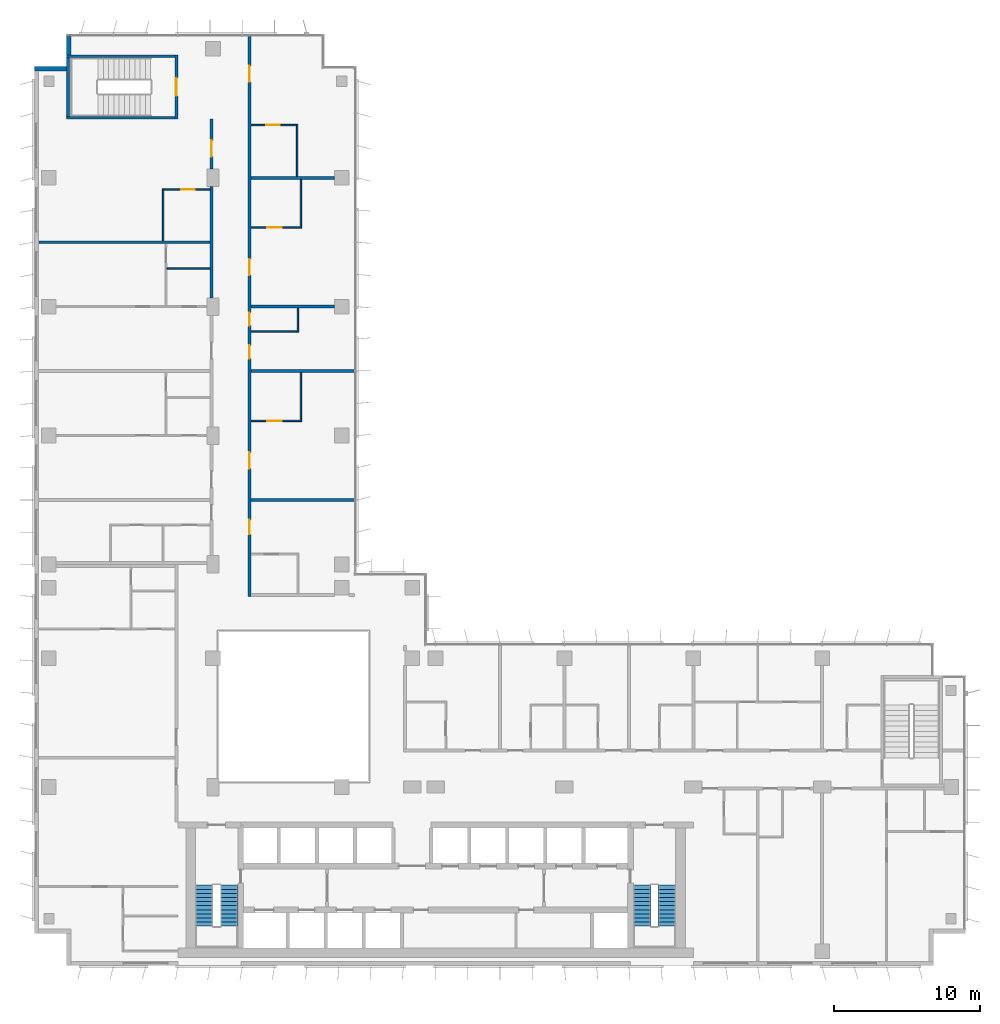
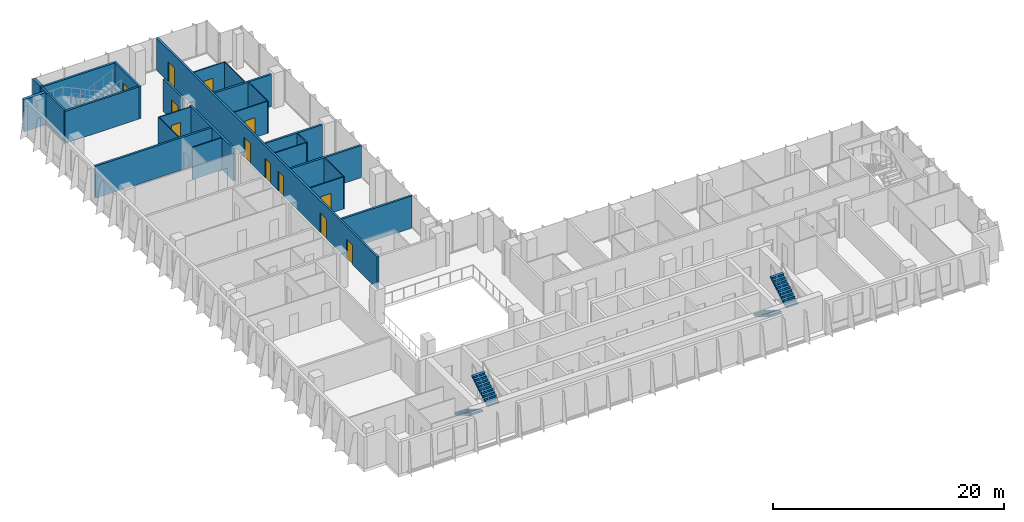
# One storey, part 17 of 21: 25 walls, 12 doors, 4 stair flights, 12 openings, 2 elements without a shape of their own.
"""IFC4 building model written with IfcOpenShell, lengths in metres."""

from ifc_helpers import new_model, si_unit, direction, frame, frame_2d, origin, place, context, subcontext, project, spatial, polyline, rectangle, outline, extrude, material, layer, layer_set, type_object, element, fill, aggregate, save


model = new_model("IFC4")

# Units and contexts
model_context = context("Model", 3, precision=1e-05, world=origin(), true_north=direction((0.0, 1.0)))
body_context = subcontext(model_context, "Body", "Model", "MODEL_VIEW")
ifc_project = project(units=[si_unit("LENGTHUNIT", "METRE"), si_unit("AREAUNIT", "SQUARE_METRE"), si_unit("VOLUMEUNIT", "CUBIC_METRE"), si_unit("PLANEANGLEUNIT", "RADIAN"), si_unit("MASSUNIT", "GRAM", prefix="KILO")], contexts=[model_context])

# Site, building, storey
site_placement = place(None, origin())
site = spatial("IfcSite", under=ifc_project, at=site_placement, CompositionType="ELEMENT")
building_placement = place(site_placement, origin())
building = spatial("IfcBuilding", under=site, at=building_placement, Name="Kemantara Hotel Tower", CompositionType="ELEMENT")
storey_placement = place(building_placement, frame((0.0, 0.0, 208.0)))
storey = spatial("IfcBuildingStorey", under=building, at=storey_placement, Name="L51", CompositionType="ELEMENT", Elevation=208.0)

# Walls
ifc_material_1 = material(Name="Bronze anodised aluminium cladding on insulated steel stud wall", Category="steel")
ifc_layer_1 = layer(ifc_material_1, 0.300048828125)
ifc_layer_set_1 = layer_set([ifc_layer_1], Name="Bronze anodised aluminium cladding on insulated steel stud wall")
wall_type_1 = type_object("IfcWallType", Name="BRONZE METAL-CLAD EXTERNAL WALL 300", PredefinedType="STANDARD", material=ifc_layer_set_1)
wall_1_placement = place(storey_placement, frame((2.35009765625, 63.449951171875, 0.0), z_axis=(0.0, 0.0, 1.0), x_axis=(0.0, -1.0, 0.0)))
element("IfcWall", 1, at=wall_1_placement, inside=storey, type_object=wall_type_1, Name="EXTERNAL WALL L51 T3-R03", PredefinedType="STANDARD", context=body_context, shape_type="SweptSolid", body=[
    extrude(rectangle(XDim=1.25, YDim=0.300048828125, at=frame_2d((0.625, 0.0))), origin(), (0.0, 0.0, 1.0), 3.39990234375),
])
wall_2_placement = place(storey_placement, frame((2.199951171875, 61.25, 0.0), z_axis=(0.0, 0.0, 1.0), x_axis=(-1.0, 0.0, 0.0)))
element("IfcWall", 2, at=wall_2_placement, inside=storey, type_object=wall_type_1, Name="EXTERNAL WALL L51 T3-R04", PredefinedType="STANDARD", context=body_context, shape_type="SweptSolid", body=[
    extrude(rectangle(XDim=2.199951171875, YDim=0.300048828125, at=frame_2d((1.10009765625, 0.0))), origin(), (0.0, 0.0, 1.0), 3.39990234375),
])
ifc_material_2 = material(Name="Gypsum board partition, steel studs and mineral wool, 200 mm", Category="steel")
ifc_layer_2 = layer(ifc_material_2, 0.199951171875)
ifc_layer_set_2 = layer_set([ifc_layer_2], Name="Gypsum board partition, steel studs and mineral wool, 200 mm")
wall_type_2 = type_object("IfcWallType", Name="CORRIDOR WALL 200", PredefinedType="PARTITIONING", material=ifc_layer_set_2)
wall_3_placement = place(storey_placement, frame((12.10009765625, 45.60009765625, 0.0), z_axis=(0.0, 0.0, 1.0), x_axis=(0.0, 1.0, 0.0)))
element("IfcWall", 3, at=wall_3_placement, inside=storey, type_object=wall_type_2, Name="CORRIDOR WALL 200 019", PredefinedType="PARTITIONING", context=body_context, shape_type="SweptSolid", body=[
    extrude(rectangle(XDim=7.599853515625, YDim=0.199951171875, at=frame_2d((3.7998046875, 0.0))), origin(), (0.0, 0.0, 1.0), 3.39990234375),
])

# Wall, opening, door
wall_4_placement = place(storey_placement, frame((12.10009765625, 54.400146484375, 0.0), z_axis=(0.0, 0.0, 1.0), x_axis=(0.0, 1.0, 0.0)))
wall_4 = element("IfcWall", 4, at=wall_4_placement, inside=storey, type_object=wall_type_2, Name="CORRIDOR WALL 200 020", PredefinedType="PARTITIONING", context=body_context, shape_type="SweptSolid", body=[
    extrude(rectangle(XDim=3.39990234375, YDim=0.199951171875, at=frame_2d((1.699951171875, 0.0))), origin(), (0.0, 0.0, 1.0), 3.39990234375),
])
opening_1_placement = place(wall_4_placement, frame((0.849853515625, 0.0, 0.0)))
opening_1 = element("IfcOpeningElement", 5, at=opening_1_placement, cuts=wall_4, Name="Opening F25-042", PredefinedType="OPENING", context=body_context, shape_type="SweptSolid", body=[
    extrude(rectangle(XDim=1.10009765625, YDim=2.10009765625, at=frame_2d((0.550048828125, 1.050048828125))), frame((0.0, 0.10986328125, 0.0), z_axis=(0.0, -1.0, 0.0), x_axis=(1.0, 0.0, 0.0)), (0.0, 0.0, 1.0), 0.219970703125),
])
ifc_material_3 = material(Name="Hardwood veneer door leaf with steel frame", Category="steel")
door_type_1 = type_object("IfcDoorType", Name="SUITE ENTRANCE DOOR 1100 X 2100 FD30S", OperationType="NOTDEFINED", PredefinedType="DOOR", material=ifc_material_3)
door_1_placement = place(opening_1_placement, origin())
door_1 = element("IfcDoor", 6, at=door_1_placement, inside=storey, type_object=door_type_1, Name="SUITE ENTRANCE DOOR F25-042", OperationType="SINGLE_SWING_RIGHT", OverallHeight=2.10009765625, OverallWidth=1.10009765625, PredefinedType="DOOR", context=body_context, shape_type="SweptSolid", body=[
    extrude(rectangle(XDim=1.10009765625, YDim=2.10009765625, at=frame_2d((0.550048828125, 1.050048828125))), frame((0.0, 0.02490234375, 0.0), z_axis=(0.0, -1.0, 0.0), x_axis=(1.0, 0.0, 0.0)), (0.0, 0.0, 1.0), 0.050048828125),
])
fill(opening_1, door_1)

# Wall, openings, doors
wall_5_placement = place(storey_placement, frame((14.699951171875, 63.47998046875, 0.0), z_axis=(0.0, 0.0, 1.0), x_axis=(0.0, -1.0, 0.0)))
wall_5 = element("IfcWall", 7, at=wall_5_placement, inside=storey, type_object=wall_type_2, Name="CORRIDOR WALL 200 027", PredefinedType="PARTITIONING", context=body_context, shape_type="SweptSolid", body=[
    extrude(rectangle(XDim=38.280029296875, YDim=0.199951171875, at=frame_2d((19.14013671875, 0.0))), origin(), (0.0, 0.0, 1.0), 3.39990234375),
])
opening_2_placement = place(wall_5_placement, frame((33.02978515625, 0.0, 0.0)))
opening_2 = element("IfcOpeningElement", 8, at=opening_2_placement, cuts=wall_5, Name="Opening F25-044", PredefinedType="OPENING", context=body_context, shape_type="SweptSolid", body=[
    extrude(rectangle(XDim=1.0, YDim=2.10009765625, at=frame_2d((0.5, 1.050048828125))), frame((0.0, 0.10986328125, 0.0), z_axis=(0.0, -1.0, 0.0), x_axis=(1.0, 0.0, 0.0)), (0.0, 0.0, 1.0), 0.219970703125),
])
opening_3_placement = place(wall_5_placement, frame((28.429931640625, 0.0, 0.0)))
opening_3 = element("IfcOpeningElement", 9, at=opening_3_placement, cuts=wall_5, Name="Opening F25-046", PredefinedType="OPENING", context=body_context, shape_type="SweptSolid", body=[
    extrude(rectangle(XDim=1.10009765625, YDim=2.10009765625, at=frame_2d((0.550048828125, 1.050048828125))), frame((0.0, 0.10986328125, 0.0), z_axis=(0.0, -1.0, 0.0), x_axis=(1.0, 0.0, 0.0)), (0.0, 0.0, 1.0), 0.219970703125),
])
opening_4_placement = place(wall_5_placement, frame((21.1298828125, 0.0, 0.0)))
opening_4 = element("IfcOpeningElement", 10, at=opening_4_placement, cuts=wall_5, Name="Opening F25-048", PredefinedType="OPENING", context=body_context, shape_type="SweptSolid", body=[
    extrude(rectangle(XDim=0.89990234375, YDim=2.10009765625, at=frame_2d((0.449951171875, 1.050048828125))), frame((0.0, 0.10986328125, 0.0), z_axis=(0.0, -1.0, 0.0), x_axis=(1.0, 0.0, 0.0)), (0.0, 0.0, 1.0), 0.219970703125),
])
opening_5_placement = place(wall_5_placement, frame((18.8798828125, 0.0, 0.0)))
opening_5 = element("IfcOpeningElement", 11, at=opening_5_placement, cuts=wall_5, Name="Opening F25-049", PredefinedType="OPENING", context=body_context, shape_type="SweptSolid", body=[
    extrude(rectangle(XDim=0.89990234375, YDim=2.10009765625, at=frame_2d((0.449951171875, 1.050048828125))), frame((0.0, 0.10986328125, 0.0), z_axis=(0.0, -1.0, 0.0), x_axis=(1.0, 0.0, 0.0)), (0.0, 0.0, 1.0), 0.219970703125),
])
opening_6_placement = place(wall_5_placement, frame((15.22998046875, 0.0, 0.0)))
opening_6 = element("IfcOpeningElement", 12, at=opening_6_placement, cuts=wall_5, Name="Opening F25-050", PredefinedType="OPENING", context=body_context, shape_type="SweptSolid", body=[
    extrude(rectangle(XDim=1.10009765625, YDim=2.10009765625, at=frame_2d((0.550048828125, 1.050048828125))), frame((0.0, 0.10986328125, 0.0), z_axis=(0.0, -1.0, 0.0), x_axis=(1.0, 0.0, 0.0)), (0.0, 0.0, 1.0), 0.219970703125),
])
opening_7_placement = place(wall_5_placement, frame((2.02978515625, 0.0, 0.0)))
opening_7 = element("IfcOpeningElement", 13, at=opening_7_placement, cuts=wall_5, Name="Opening F25-052", PredefinedType="OPENING", context=body_context, shape_type="SweptSolid", body=[
    extrude(rectangle(XDim=1.10009765625, YDim=2.10009765625, at=frame_2d((0.550048828125, 1.050048828125))), frame((0.0, 0.10986328125, 0.0), z_axis=(0.0, -1.0, 0.0), x_axis=(1.0, 0.0, 0.0)), (0.0, 0.0, 1.0), 0.219970703125),
])
door_type_2 = type_object("IfcDoorType", Name="GUEST ROOM DOOR 1000 X 2100 FD30S", OperationType="NOTDEFINED", PredefinedType="DOOR", material=ifc_material_3)
door_2_placement = place(opening_2_placement, origin())
door_2 = element("IfcDoor", 14, at=door_2_placement, inside=storey, type_object=door_type_2, Name="GUEST ROOM DOOR F25-044", OperationType="SINGLE_SWING_LEFT", OverallHeight=2.10009765625, OverallWidth=1.0, PredefinedType="DOOR", context=body_context, shape_type="SweptSolid", body=[
    extrude(rectangle(XDim=1.0, YDim=2.10009765625, at=frame_2d((0.5, 1.050048828125))), frame((0.0, 0.02490234375, 0.0), z_axis=(0.0, -1.0, 0.0), x_axis=(1.0, 0.0, 0.0)), (0.0, 0.0, 1.0), 0.050048828125),
])
fill(opening_2, door_2)
door_type_3 = type_object("IfcDoorType", Name="GUEST ROOM DOOR 1100 X 2100 FD30S", OperationType="NOTDEFINED", PredefinedType="DOOR", material=ifc_material_3)
door_3_placement = place(opening_3_placement, origin())
door_3 = element("IfcDoor", 15, at=door_3_placement, inside=storey, type_object=door_type_3, Name="GUEST ROOM DOOR F25-046", OperationType="SINGLE_SWING_RIGHT", OverallHeight=2.10009765625, OverallWidth=1.10009765625, PredefinedType="DOOR", context=body_context, shape_type="SweptSolid", body=[
    extrude(rectangle(XDim=1.10009765625, YDim=2.10009765625, at=frame_2d((0.550048828125, 1.050048828125))), frame((0.0, 0.02490234375, 0.0), z_axis=(0.0, -1.0, 0.0), x_axis=(1.0, 0.0, 0.0)), (0.0, 0.0, 1.0), 0.050048828125),
])
fill(opening_3, door_3)
door_4_placement = place(opening_6_placement, origin())
door_4 = element("IfcDoor", 16, at=door_4_placement, inside=storey, type_object=door_type_3, Name="GUEST ROOM DOOR F25-050", OperationType="SINGLE_SWING_RIGHT", OverallHeight=2.10009765625, OverallWidth=1.10009765625, PredefinedType="DOOR", context=body_context, shape_type="SweptSolid", body=[
    extrude(rectangle(XDim=1.10009765625, YDim=2.10009765625, at=frame_2d((0.550048828125, 1.050048828125))), frame((0.0, 0.02490234375, 0.0), z_axis=(0.0, -1.0, 0.0), x_axis=(1.0, 0.0, 0.0)), (0.0, 0.0, 1.0), 0.050048828125),
])
fill(opening_6, door_4)
ifc_material_4 = material(Name="Steel door leaf with steel frame", Category="steel")
door_type_4 = type_object("IfcDoorType", Name="SERVICE ROOM DOOR 900 X 2100 FD60", OperationType="NOTDEFINED", PredefinedType="DOOR", material=ifc_material_4)
door_5_placement = place(opening_4_placement, origin())
door_5 = element("IfcDoor", 17, at=door_5_placement, inside=storey, type_object=door_type_4, Name="SERVICE ROOM DOOR F25-048", OperationType="SINGLE_SWING_RIGHT", OverallHeight=2.10009765625, OverallWidth=0.89990234375, PredefinedType="DOOR", context=body_context, shape_type="SweptSolid", body=[
    extrude(rectangle(XDim=0.89990234375, YDim=2.10009765625, at=frame_2d((0.449951171875, 1.050048828125))), frame((0.0, 0.02490234375, 0.0), z_axis=(0.0, -1.0, 0.0), x_axis=(1.0, 0.0, 0.0)), (0.0, 0.0, 1.0), 0.050048828125),
])
fill(opening_4, door_5)
door_6_placement = place(opening_5_placement, origin())
door_6 = element("IfcDoor", 18, at=door_6_placement, inside=storey, type_object=door_type_4, Name="SERVICE ROOM DOOR F25-049", OperationType="SINGLE_SWING_LEFT", OverallHeight=2.10009765625, OverallWidth=0.89990234375, PredefinedType="DOOR", context=body_context, shape_type="SweptSolid", body=[
    extrude(rectangle(XDim=0.89990234375, YDim=2.10009765625, at=frame_2d((0.449951171875, 1.050048828125))), frame((0.0, 0.02490234375, 0.0), z_axis=(0.0, -1.0, 0.0), x_axis=(1.0, 0.0, 0.0)), (0.0, 0.0, 1.0), 0.050048828125),
])
fill(opening_5, door_6)
door_7_placement = place(opening_7_placement, origin())
door_7 = element("IfcDoor", 19, at=door_7_placement, inside=storey, type_object=door_type_1, Name="SUITE ENTRANCE DOOR F25-052", OperationType="SINGLE_SWING_LEFT", OverallHeight=2.10009765625, OverallWidth=1.10009765625, PredefinedType="DOOR", context=body_context, shape_type="SweptSolid", body=[
    extrude(rectangle(XDim=1.10009765625, YDim=2.10009765625, at=frame_2d((0.550048828125, 1.050048828125))), frame((0.0, 0.02490234375, 0.0), z_axis=(0.0, -1.0, 0.0), x_axis=(1.0, 0.0, 0.0)), (0.0, 0.0, 1.0), 0.050048828125),
])
fill(opening_7, door_7)

# Wall, opening, door
ifc_material_5 = material(Name="Concrete fc 40 MPa", Category="concrete")
ifc_layer_3 = layer(ifc_material_5, 0.199951171875)
ifc_layer_set_3 = layer_set([ifc_layer_3], Name="Concrete fc 40 MPa")
wall_type_3 = type_object("IfcWallType", Name="Concrete stair wall 200 mm", PredefinedType="SHEAR", material=ifc_layer_set_3)
wall_6_placement = place(storey_placement, frame((9.699951171875, 57.800048828125, 0.0), z_axis=(0.0, 0.0, 1.0), x_axis=(0.0, 1.0, 0.0)))
wall_6 = element("IfcWall", 20, at=wall_6_placement, inside=storey, type_object=wall_type_3, Name="Stair ST4 enclosure wall with door", PredefinedType="SHEAR", context=body_context, shape_type="SweptSolid", body=[
    extrude(rectangle(XDim=4.39990234375, YDim=0.199951171875, at=frame_2d((2.199951171875, 0.0))), origin(), (0.0, 0.0, 1.0), 3.39990234375),
])
opening_8_placement = place(wall_6_placement, frame((1.60009765625, 0.0, 0.0)))
opening_8 = element("IfcOpeningElement", 21, at=opening_8_placement, cuts=wall_6, Name="Opening ST4-C", PredefinedType="OPENING", context=body_context, shape_type="SweptSolid", body=[
    extrude(rectangle(XDim=1.199951171875, YDim=2.10009765625, at=frame_2d((0.60009765625, 1.050048828125))), frame((0.0, 0.10986328125, 0.0), z_axis=(0.0, -1.0, 0.0), x_axis=(1.0, 0.0, 0.0)), (0.0, 0.0, 1.0), 0.219970703125),
])
ifc_material_6 = material(Name="Steel fire door", Category="steel")
door_type_5 = type_object("IfcDoorType", Name="Fire door FD90 1200 x 2100", OperationType="NOTDEFINED", PredefinedType="DOOR", material=ifc_material_6)
door_8_placement = place(opening_8_placement, origin())
door_8 = element("IfcDoor", 22, at=door_8_placement, inside=storey, type_object=door_type_5, Name="Stair ST4 door", OperationType="SINGLE_SWING_RIGHT", OverallHeight=2.10009765625, OverallWidth=1.199951171875, PredefinedType="DOOR", context=body_context, shape_type="SweptSolid", body=[
    extrude(rectangle(XDim=1.199951171875, YDim=2.10009765625, at=frame_2d((0.60009765625, 1.050048828125))), frame((0.0, 0.02490234375, 0.0), z_axis=(0.0, -1.0, 0.0), x_axis=(1.0, 0.0, 0.0)), (0.0, 0.0, 1.0), 0.050048828125),
])
fill(opening_8, door_8)

# Walls
for number, where, z_axis, x_axis, name in (
    (23, (2.199951171875, 62.10009765625, 0.0), (0.0, 0.0, 1.0), (1.0, 0.0, 0.0), "Stair ST4 enclosure wall N"),
    (24, (2.199951171875, 57.89990234375, 0.0), (0.0, 0.0, 1.0), (1.0, 0.0, 0.0), "Stair ST4 enclosure wall S"),
):
    element("IfcWall", number, at=place(storey_placement, frame(where, z_axis=z_axis, x_axis=x_axis)), inside=storey, type_object=wall_type_3, Name=name, PredefinedType="SHEAR", context=body_context, shape_type="SweptSolid", body=[
        extrude(rectangle(XDim=7.400146484375, YDim=0.199951171875, at=frame_2d((3.7001953125, 0.0))), origin(), (0.0, 0.0, 1.0), 3.39990234375),
    ])
wall_7_placement = place(storey_placement, frame((2.300048828125, 58.0, 0.0), z_axis=(0.0, 0.0, 1.0), x_axis=(0.0, 1.0, 0.0)))
element("IfcWall", 25, at=wall_7_placement, inside=storey, type_object=wall_type_3, Name="Stair ST4 enclosure wall W", PredefinedType="SHEAR", context=body_context, shape_type="SweptSolid", body=[
    extrude(rectangle(XDim=4.0, YDim=0.199951171875, at=frame_2d((2.0, 0.0))), origin(), (0.0, 0.0, 1.0), 3.39990234375),
])
ifc_layer_4 = layer(ifc_material_2, 0.199951171875)
ifc_layer_set_4 = layer_set([ifc_layer_4], Name="Gypsum board partition, steel studs and mineral wool, 200 mm")
wall_type_4 = type_object("IfcWallType", Name="GUEST ROOM PARTY WALL 200", PredefinedType="PARTITIONING", material=ifc_layer_set_4)
for number, where, z_axis, x_axis, name in (
    (26, (14.800048828125, 31.800048828125, 0.0), (0.0, 0.0, 1.0), (1.0, 0.0, 0.0), "GUEST ROOM PARTY WALL 200 023"),
    (27, (14.800048828125, 40.60009765625, 0.0), (0.0, 0.0, 1.0), (1.0, 0.0, 0.0), "GUEST ROOM PARTY WALL 200 025"),
):
    element("IfcWall", number, at=place(storey_placement, frame(where, z_axis=z_axis, x_axis=x_axis)), inside=storey, type_object=wall_type_4, Name=name, PredefinedType="PARTITIONING", context=body_context, shape_type="SweptSolid", body=[
        extrude(rectangle(XDim=7.070068359375, YDim=0.199951171875, at=frame_2d((3.53515625, 0.0))), origin(), (0.0, 0.0, 1.0), 3.39990234375),
    ])
wall_8_placement = place(storey_placement, frame((0.31005859375, 49.39990234375, 0.0), z_axis=(0.0, 0.0, 1.0), x_axis=(1.0, 0.0, 0.0)))
element("IfcWall", 28, at=wall_8_placement, inside=storey, type_object=wall_type_4, Name="GUEST ROOM PARTY WALL 200 026", PredefinedType="PARTITIONING", context=body_context, shape_type="SweptSolid", body=[
    extrude(rectangle(XDim=11.68994140625, YDim=0.199951171875, at=frame_2d((5.844970703125, 0.0))), origin(), (0.0, 0.0, 1.0), 3.39990234375),
])
for number, where, z_axis, x_axis, name in (
    (29, (14.800048828125, 45.0, 0.0), (0.0, 0.0, 1.0), (1.0, 0.0, 0.0), "GUEST ROOM PARTY WALL 200 030"),
    (30, (14.800048828125, 53.800048828125, 0.0), (0.0, 0.0, 1.0), (1.0, 0.0, 0.0), "GUEST ROOM PARTY WALL 200 031"),
):
    element("IfcWall", number, at=place(storey_placement, frame(where, z_axis=z_axis, x_axis=x_axis)), inside=storey, type_object=wall_type_4, Name=name, PredefinedType="PARTITIONING", context=body_context, shape_type="SweptSolid", body=[
        extrude(rectangle(XDim=5.699951171875, YDim=0.199951171875, at=frame_2d((2.85009765625, 0.0))), origin(), (0.0, 0.0, 1.0), 3.39990234375),
    ])
ifc_material_7 = material(Name="Gypsum board partition on steel studs, 100 mm", Category="steel")
ifc_layer_5 = layer(ifc_material_7, 0.10009765625)
ifc_layer_set_5 = layer_set([ifc_layer_5], Name="Gypsum board partition on steel studs, 100 mm")
wall_type_5 = type_object("IfcWallType", Name="ROOM PARTITION 100", PredefinedType="PARTITIONING", material=ifc_layer_set_5)
wall_9_placement = place(storey_placement, frame((8.800048828125, 49.5, 0.0), z_axis=(0.0, 0.0, 1.0), x_axis=(0.0, 1.0, 0.0)))
element("IfcWall", 31, at=wall_9_placement, inside=storey, type_object=wall_type_5, Name="ROOM PARTITION 100 061", PredefinedType="PARTITIONING", context=body_context, shape_type="SweptSolid", body=[
    extrude(rectangle(XDim=3.550048828125, YDim=0.10009765625, at=frame_2d((1.77490234375, 0.0))), origin(), (0.0, 0.0, 1.0), 3.39990234375),
])
wall_10_placement = place(storey_placement, frame((9.050048828125, 47.60009765625, 0.0), z_axis=(0.0, 0.0, 1.0), x_axis=(1.0, 0.0, 0.0)))
element("IfcWall", 32, at=wall_10_placement, inside=storey, type_object=wall_type_5, Name="ROOM PARTITION 100 068", PredefinedType="PARTITIONING", context=body_context, shape_type="SweptSolid", body=[
    extrude(rectangle(XDim=2.949951171875, YDim=0.10009765625, at=frame_2d((1.47509765625, 0.0))), origin(), (0.0, 0.0, 1.0), 3.39990234375),
])

# Wall, opening, door
wall_11_placement = place(storey_placement, frame((12.0, 53.0, 0.0), z_axis=(0.0, 0.0, 1.0), x_axis=(-1.0, 0.0, 0.0)))
wall_11 = element("IfcWall", 33, at=wall_11_placement, inside=storey, type_object=wall_type_5, Name="ROOM PARTITION 100 069", PredefinedType="PARTITIONING", context=body_context, shape_type="SweptSolid", body=[
    extrude(rectangle(XDim=3.14990234375, YDim=0.10009765625, at=frame_2d((1.574951171875, 0.0))), origin(), (0.0, 0.0, 1.0), 3.39990234375),
])
opening_9_placement = place(wall_11_placement, frame((1.050048828125, 0.0, 0.0)))
opening_9 = element("IfcOpeningElement", 34, at=opening_9_placement, cuts=wall_11, Name="Opening F25-043", PredefinedType="OPENING", context=body_context, shape_type="SweptSolid", body=[
    extrude(rectangle(XDim=0.89990234375, YDim=2.10009765625, at=frame_2d((0.449951171875, 1.050048828125))), frame((0.0, 0.06005859375, 0.0), z_axis=(0.0, -1.0, 0.0), x_axis=(1.0, 0.0, 0.0)), (0.0, 0.0, 1.0), 0.1201171875),
])
door_type_6 = type_object("IfcDoorType", Name="BATHROOM DOOR 900 X 2100", OperationType="NOTDEFINED", PredefinedType="DOOR", material=ifc_material_3)
door_9_placement = place(opening_9_placement, origin())
door_9 = element("IfcDoor", 35, at=door_9_placement, inside=storey, type_object=door_type_6, Name="BATHROOM DOOR F25-043", OperationType="SINGLE_SWING_LEFT", OverallHeight=2.10009765625, OverallWidth=0.89990234375, PredefinedType="DOOR", context=body_context, shape_type="SweptSolid", body=[
    extrude(rectangle(XDim=0.89990234375, YDim=2.10009765625, at=frame_2d((0.449951171875, 1.050048828125))), frame((0.0, 0.02490234375, 0.0), z_axis=(0.0, -1.0, 0.0), x_axis=(1.0, 0.0, 0.0)), (0.0, 0.0, 1.0), 0.050048828125),
])
fill(opening_9, door_9)

# Walls
wall_12_placement = place(storey_placement, frame((18.0, 43.25, 0.0), z_axis=(0.0, 0.0, 1.0), x_axis=(0.0, 1.0, 0.0)))
element("IfcWall", 36, at=wall_12_placement, inside=storey, type_object=wall_type_5, Name="ROOM PARTITION 100 071", PredefinedType="PARTITIONING", context=body_context, shape_type="SweptSolid", body=[
    extrude(rectangle(XDim=1.64990234375, YDim=0.10009765625, at=frame_2d((0.824951171875, 0.0))), origin(), (0.0, 0.0, 1.0), 3.39990234375),
])
wall_13_placement = place(storey_placement, frame((18.199951171875, 37.14990234375, 0.0), z_axis=(0.0, 0.0, 1.0), x_axis=(0.0, 1.0, 0.0)))
element("IfcWall", 37, at=wall_13_placement, inside=storey, type_object=wall_type_5, Name="ROOM PARTITION 100 073", PredefinedType="PARTITIONING", context=body_context, shape_type="SweptSolid", body=[
    extrude(rectangle(XDim=3.35009765625, YDim=0.10009765625, at=frame_2d((1.675048828125, 0.0))), origin(), (0.0, 0.0, 1.0), 3.39990234375),
])
wall_14_placement = place(storey_placement, frame((18.199951171875, 50.35009765625, 0.0), z_axis=(0.0, 0.0, 1.0), x_axis=(0.0, 1.0, 0.0)))
element("IfcWall", 38, at=wall_14_placement, inside=storey, type_object=wall_type_5, Name="ROOM PARTITION 100 074", PredefinedType="PARTITIONING", context=body_context, shape_type="SweptSolid", body=[
    extrude(rectangle(XDim=3.349853515625, YDim=0.10009765625, at=frame_2d((1.6748046875, 0.0))), origin(), (0.0, 0.0, 1.0), 3.39990234375),
])

# Wall, opening, door
wall_15_placement = place(storey_placement, frame((14.800048828125, 37.199951171875, 0.0), z_axis=(0.0, 0.0, 1.0), x_axis=(1.0, 0.0, 0.0)))
wall_15 = element("IfcWall", 39, at=wall_15_placement, inside=storey, type_object=wall_type_5, Name="ROOM PARTITION 100 075", PredefinedType="PARTITIONING", context=body_context, shape_type="SweptSolid", body=[
    extrude(rectangle(XDim=3.349853515625, YDim=0.10009765625, at=frame_2d((1.6748046875, 0.0))), origin(), (0.0, 0.0, 1.0), 3.39990234375),
])
opening_10_placement = place(wall_15_placement, frame((1.10009765625, 0.0, 0.0)))
opening_10 = element("IfcOpeningElement", 40, at=opening_10_placement, cuts=wall_15, Name="Opening F25-047", PredefinedType="OPENING", context=body_context, shape_type="SweptSolid", body=[
    extrude(rectangle(XDim=1.0, YDim=2.10009765625, at=frame_2d((0.5, 1.050048828125))), frame((0.0, 0.06005859375, 0.0), z_axis=(0.0, -1.0, 0.0), x_axis=(1.0, 0.0, 0.0)), (0.0, 0.0, 1.0), 0.1201171875),
])
door_type_7 = type_object("IfcDoorType", Name="BATHROOM DOOR 1000 X 2100", OperationType="NOTDEFINED", PredefinedType="DOOR", material=ifc_material_3)
door_10_placement = place(opening_10_placement, origin())
door_10 = element("IfcDoor", 41, at=door_10_placement, inside=storey, type_object=door_type_7, Name="BATHROOM DOOR F25-047", OperationType="SINGLE_SWING_LEFT", OverallHeight=2.10009765625, OverallWidth=1.0, PredefinedType="DOOR", context=body_context, shape_type="SweptSolid", body=[
    extrude(rectangle(XDim=1.0, YDim=2.10009765625, at=frame_2d((0.5, 1.050048828125))), frame((0.0, 0.02490234375, 0.0), z_axis=(0.0, -1.0, 0.0), x_axis=(1.0, 0.0, 0.0)), (0.0, 0.0, 1.0), 0.050048828125),
])
fill(opening_10, door_10)

# Wall
wall_16_placement = place(storey_placement, frame((14.800048828125, 43.300048828125, 0.0), z_axis=(0.0, 0.0, 1.0), x_axis=(1.0, 0.0, 0.0)))
element("IfcWall", 42, at=wall_16_placement, inside=storey, type_object=wall_type_5, Name="ROOM PARTITION 100 076", PredefinedType="PARTITIONING", context=body_context, shape_type="SweptSolid", body=[
    extrude(rectangle(XDim=3.14990234375, YDim=0.10009765625, at=frame_2d((1.574951171875, 0.0))), origin(), (0.0, 0.0, 1.0), 3.39990234375),
])

# Wall, opening, door
wall_17_placement = place(storey_placement, frame((14.800048828125, 50.39990234375, 0.0), z_axis=(0.0, 0.0, 1.0), x_axis=(1.0, 0.0, 0.0)))
wall_17 = element("IfcWall", 43, at=wall_17_placement, inside=storey, type_object=wall_type_5, Name="ROOM PARTITION 100 077", PredefinedType="PARTITIONING", context=body_context, shape_type="SweptSolid", body=[
    extrude(rectangle(XDim=3.349853515625, YDim=0.10009765625, at=frame_2d((1.6748046875, 0.0))), origin(), (0.0, 0.0, 1.0), 3.39990234375),
])
opening_11_placement = place(wall_17_placement, frame((1.10009765625, 0.0, 0.0)))
opening_11 = element("IfcOpeningElement", 44, at=opening_11_placement, cuts=wall_17, Name="Opening F25-051", PredefinedType="OPENING", context=body_context, shape_type="SweptSolid", body=[
    extrude(rectangle(XDim=1.0, YDim=2.10009765625, at=frame_2d((0.5, 1.050048828125))), frame((0.0, 0.06005859375, 0.0), z_axis=(0.0, -1.0, 0.0), x_axis=(1.0, 0.0, 0.0)), (0.0, 0.0, 1.0), 0.1201171875),
])
door_11_placement = place(opening_11_placement, origin())
door_11 = element("IfcDoor", 45, at=door_11_placement, inside=storey, type_object=door_type_7, Name="BATHROOM DOOR F25-051", OperationType="SINGLE_SWING_LEFT", OverallHeight=2.10009765625, OverallWidth=1.0, PredefinedType="DOOR", context=body_context, shape_type="SweptSolid", body=[
    extrude(rectangle(XDim=1.0, YDim=2.10009765625, at=frame_2d((0.5, 1.050048828125))), frame((0.0, 0.02490234375, 0.0), z_axis=(0.0, -1.0, 0.0), x_axis=(1.0, 0.0, 0.0)), (0.0, 0.0, 1.0), 0.050048828125),
])
fill(opening_11, door_11)

# Wall
wall_18_placement = place(storey_placement, frame((17.949951171875, 53.89990234375, 0.0), z_axis=(0.0, 0.0, 1.0), x_axis=(0.0, 1.0, 0.0)))
element("IfcWall", 46, at=wall_18_placement, inside=storey, type_object=wall_type_5, Name="ROOM PARTITION 100 078", PredefinedType="PARTITIONING", context=body_context, shape_type="SweptSolid", body=[
    extrude(rectangle(XDim=3.550048828125, YDim=0.10009765625, at=frame_2d((1.77490234375, 0.0))), origin(), (0.0, 0.0, 1.0), 3.39990234375),
])

# Wall, opening, door
wall_19_placement = place(storey_placement, frame((17.89990234375, 57.39990234375, 0.0), z_axis=(0.0, 0.0, 1.0), x_axis=(-1.0, 0.0, 0.0)))
wall_19 = element("IfcWall", 47, at=wall_19_placement, inside=storey, type_object=wall_type_5, Name="ROOM PARTITION 100 079", PredefinedType="PARTITIONING", context=body_context, shape_type="SweptSolid", body=[
    extrude(rectangle(XDim=3.099853515625, YDim=0.10009765625, at=frame_2d((1.5498046875, 0.0))), origin(), (0.0, 0.0, 1.0), 3.39990234375),
])
opening_12_placement = place(wall_19_placement, frame((1.14990234375, 0.0, 0.0)))
opening_12 = element("IfcOpeningElement", 48, at=opening_12_placement, cuts=wall_19, Name="Opening F25-053", PredefinedType="OPENING", context=body_context, shape_type="SweptSolid", body=[
    extrude(rectangle(XDim=0.89990234375, YDim=2.10009765625, at=frame_2d((0.449951171875, 1.050048828125))), frame((0.0, 0.06005859375, 0.0), z_axis=(0.0, -1.0, 0.0), x_axis=(1.0, 0.0, 0.0)), (0.0, 0.0, 1.0), 0.1201171875),
])
door_12_placement = place(opening_12_placement, origin())
door_12 = element("IfcDoor", 49, at=door_12_placement, inside=storey, type_object=door_type_6, Name="BATHROOM DOOR F25-053", OperationType="SINGLE_SWING_RIGHT", OverallHeight=2.10009765625, OverallWidth=0.89990234375, PredefinedType="DOOR", context=body_context, shape_type="SweptSolid", body=[
    extrude(rectangle(XDim=0.89990234375, YDim=2.10009765625, at=frame_2d((0.449951171875, 1.050048828125))), frame((0.0, 0.02490234375, 0.0), z_axis=(0.0, -1.0, 0.0), x_axis=(1.0, 0.0, 0.0)), (0.0, 0.0, 1.0), 0.050048828125),
])
fill(opening_12, door_12)

# Stair, stair flights
stair_type = type_object("IfcStairType", Name="Stair 1200 wide 22 risers of 168 x 280 mm", PredefinedType="HALF_TURN_STAIR", material=ifc_material_5)
stair_1_placement = place(storey_placement, origin())
stair_1 = element("IfcStair", 50, at=stair_1_placement, inside=storey, type_object=stair_type, Name="L51 Exit stair ST1", PredefinedType="HALF_TURN_STAIR")
stair_flight_type = type_object("IfcStairFlightType", Name="Stair flight 1200 wide 168 x 280 mm", PredefinedType="STRAIGHT", material=ifc_material_5)
stair_flight_1_placement = place(storey_placement, frame((11.60009765625, 5.5, 0.0), z_axis=(0.0, 0.0, 1.0), x_axis=(0.0, -1.0, 0.0)))
stair_flight_1 = element("IfcStairFlight", 51, at=stair_flight_1_placement, type_object=stair_flight_type, Name="ST1 flight 1", NumberOfRisers=11, NumberOfTreads=10, PredefinedType="STRAIGHT", RiserHeight=0.168181818, TreadLength=0.28, context=body_context, shape_type="SweptSolid", body=[
    extrude(outline(polyline([(0.0, 0.0), (0.0, 0.168212890625), (0.280029296875, 0.168212890625), (0.280029296875, 0.33642578125), (0.56005859375, 0.33642578125), (0.56005859375, 0.504638671875), (0.840087890625, 0.504638671875), (0.840087890625, 0.672607421875), (1.1201171875, 0.672607421875), (1.1201171875, 0.8408203125), (1.39990234375, 0.8408203125), (1.39990234375, 1.009033203125), (1.679931640625, 1.009033203125), (1.679931640625, 1.17724609375), (1.9599609375, 1.17724609375), (1.9599609375, 1.345458984375), (2.239990234375, 1.345458984375), (2.239990234375, 1.513671875), (2.52001953125, 1.513671875), (2.52001953125, 1.681884765625), (2.800048828125, 1.681884765625), (2.800048828125, 1.85009765625), (2.800048828125, 1.5068359375), (0.291015625, 0.0), (0.0, 0.0)])), frame((0.0, 0.60009765625, 0.0), z_axis=(0.0, -1.0, 0.0), x_axis=(1.0, 0.0, 0.0)), (0.0, 0.0, 1.0), 1.199951171875),
])
stair_flight_2_placement = place(storey_placement, frame((13.300048828125, 2.699951171875, 1.85009765625), z_axis=(0.0, 0.0, 1.0), x_axis=(0.0, 1.0, 0.0)))
stair_flight_2 = element("IfcStairFlight", 52, at=stair_flight_2_placement, type_object=stair_flight_type, Name="ST1 flight 2", NumberOfRisers=11, NumberOfTreads=10, PredefinedType="STRAIGHT", RiserHeight=0.168181818, TreadLength=0.28, context=body_context, shape_type="SweptSolid", body=[
    extrude(outline(polyline([(0.0, 0.0), (0.0, 0.168212890625), (0.280029296875, 0.168212890625), (0.280029296875, 0.33642578125), (0.56005859375, 0.33642578125), (0.56005859375, 0.504638671875), (0.840087890625, 0.504638671875), (0.840087890625, 0.672607421875), (1.1201171875, 0.672607421875), (1.1201171875, 0.8408203125), (1.39990234375, 0.8408203125), (1.39990234375, 1.009033203125), (1.679931640625, 1.009033203125), (1.679931640625, 1.17724609375), (1.9599609375, 1.17724609375), (1.9599609375, 1.345458984375), (2.239990234375, 1.345458984375), (2.239990234375, 1.513671875), (2.52001953125, 1.513671875), (2.52001953125, 1.681884765625), (2.800048828125, 1.681884765625), (2.800048828125, 1.85009765625), (2.800048828125, 1.5068359375), (0.291015625, 0.0), (0.0, 0.0)])), frame((0.0, 0.60009765625, 0.0), z_axis=(0.0, -1.0, 0.0), x_axis=(1.0, 0.0, 0.0)), (0.0, 0.0, 1.0), 1.199951171875),
])
aggregate(stair_1, [stair_flight_1, stair_flight_2])

stair_2_placement = place(storey_placement, origin())
stair_2 = element("IfcStair", 53, at=stair_2_placement, inside=storey, type_object=stair_type, Name="L51 Exit stair ST2", PredefinedType="HALF_TURN_STAIR")
stair_flight_3_placement = place(storey_placement, frame((41.5, 5.5, 0.0), z_axis=(0.0, 0.0, 1.0), x_axis=(0.0, -1.0, 0.0)))
stair_flight_3 = element("IfcStairFlight", 54, at=stair_flight_3_placement, type_object=stair_flight_type, Name="ST2 flight 1", NumberOfRisers=11, NumberOfTreads=10, PredefinedType="STRAIGHT", RiserHeight=0.168181818, TreadLength=0.28, context=body_context, shape_type="SweptSolid", body=[
    extrude(outline(polyline([(0.0, 0.0), (0.0, 0.168212890625), (0.280029296875, 0.168212890625), (0.280029296875, 0.33642578125), (0.56005859375, 0.33642578125), (0.56005859375, 0.504638671875), (0.840087890625, 0.504638671875), (0.840087890625, 0.672607421875), (1.1201171875, 0.672607421875), (1.1201171875, 0.8408203125), (1.39990234375, 0.8408203125), (1.39990234375, 1.009033203125), (1.679931640625, 1.009033203125), (1.679931640625, 1.17724609375), (1.9599609375, 1.17724609375), (1.9599609375, 1.345458984375), (2.239990234375, 1.345458984375), (2.239990234375, 1.513671875), (2.52001953125, 1.513671875), (2.52001953125, 1.681884765625), (2.800048828125, 1.681884765625), (2.800048828125, 1.85009765625), (2.800048828125, 1.5068359375), (0.291015625, 0.0), (0.0, 0.0)])), frame((0.0, 0.60009765625, 0.0), z_axis=(0.0, -1.0, 0.0), x_axis=(1.0, 0.0, 0.0)), (0.0, 0.0, 1.0), 1.199951171875),
])
stair_flight_4_placement = place(storey_placement, frame((43.199951171875, 2.699951171875, 1.85009765625), z_axis=(0.0, 0.0, 1.0), x_axis=(0.0, 1.0, 0.0)))
stair_flight_4 = element("IfcStairFlight", 55, at=stair_flight_4_placement, type_object=stair_flight_type, Name="ST2 flight 2", NumberOfRisers=11, NumberOfTreads=10, PredefinedType="STRAIGHT", RiserHeight=0.168181818, TreadLength=0.28, context=body_context, shape_type="SweptSolid", body=[
    extrude(outline(polyline([(0.0, 0.0), (0.0, 0.168212890625), (0.280029296875, 0.168212890625), (0.280029296875, 0.33642578125), (0.56005859375, 0.33642578125), (0.56005859375, 0.504638671875), (0.840087890625, 0.504638671875), (0.840087890625, 0.672607421875), (1.1201171875, 0.672607421875), (1.1201171875, 0.8408203125), (1.39990234375, 0.8408203125), (1.39990234375, 1.009033203125), (1.679931640625, 1.009033203125), (1.679931640625, 1.17724609375), (1.9599609375, 1.17724609375), (1.9599609375, 1.345458984375), (2.239990234375, 1.345458984375), (2.239990234375, 1.513671875), (2.52001953125, 1.513671875), (2.52001953125, 1.681884765625), (2.800048828125, 1.681884765625), (2.800048828125, 1.85009765625), (2.800048828125, 1.5068359375), (0.291015625, 0.0), (0.0, 0.0)])), frame((0.0, 0.60009765625, 0.0), z_axis=(0.0, -1.0, 0.0), x_axis=(1.0, 0.0, 0.0)), (0.0, 0.0, 1.0), 1.199951171875),
])
aggregate(stair_2, [stair_flight_3, stair_flight_4])

save(model, "model.ifc")
